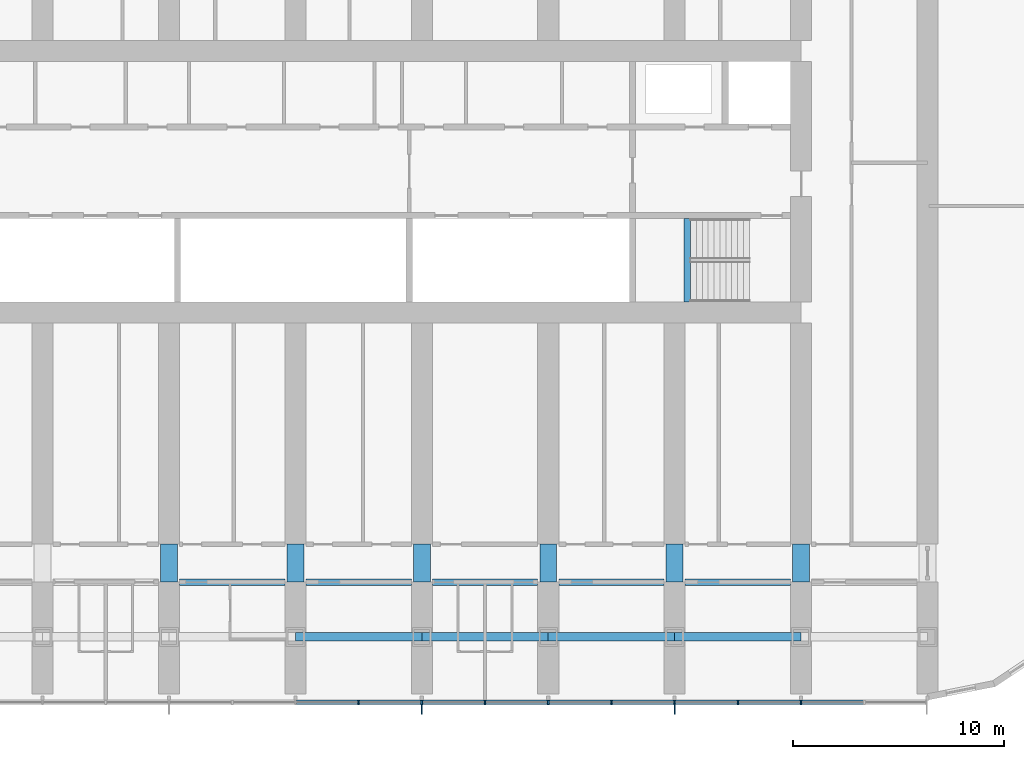
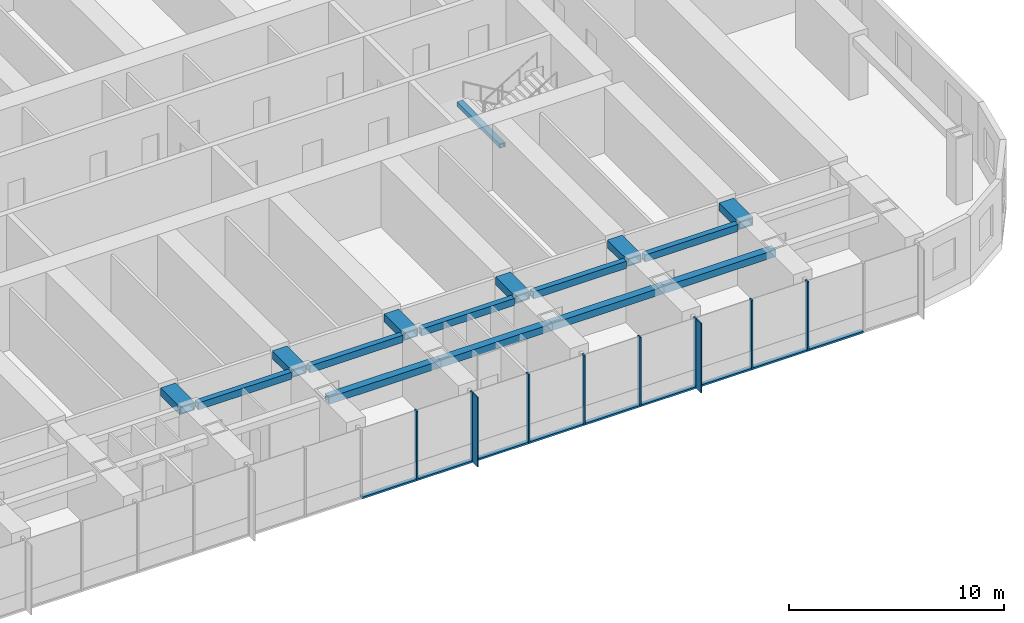
# One storey, part 5 of 26: 19 members, 16 beams, 1 element without a shape of its own.
"""IFC4 building model written with IfcOpenShell, lengths in metres."""

from ifc_helpers import new_model, si_unit, direction, frame, origin, origin_2d, place, context, subcontext, project, spatial, rectangle, hollow_rectangle, extrude, material, material_profile, profile_set, type_object, element, aggregate, save


model = new_model("IFC4")

# Units and contexts
model_context = context("Model", 3, precision=1e-05, world=origin(), true_north=direction((0.0, 1.0)))
body_context = subcontext(model_context, "Body", "Model", "MODEL_VIEW")
ifc_project = project(units=[si_unit("LENGTHUNIT", "METRE"), si_unit("AREAUNIT", "SQUARE_METRE"), si_unit("VOLUMEUNIT", "CUBIC_METRE"), si_unit("PLANEANGLEUNIT", "RADIAN"), si_unit("MASSUNIT", "GRAM", prefix="KILO")], contexts=[model_context])

# Site, building, storey
site_placement = place(None, origin())
site = spatial("IfcSite", under=ifc_project, at=site_placement, CompositionType="ELEMENT")
building_placement = place(site_placement, origin())
building = spatial("IfcBuilding", under=site, at=building_placement, Name="Orbita Commons", CompositionType="ELEMENT")
storey_placement = place(building_placement, frame((0.0, 0.0, 53.949951171875)))
storey = spatial("IfcBuildingStorey", under=building, at=storey_placement, Name="L13", CompositionType="ELEMENT", Elevation=53.949951171875)

# Curtain wall, members
ifc_material_1 = material(Name="Anodised aluminium frame, pale silver", Category="aluminium")
curtain_wall_type = type_object("IfcCurtainWallType", Name="Unitised curtain wall CW-T, vision and spandrel", PredefinedType="NOTDEFINED", material=ifc_material_1)
curtain_wall_placement = place(storey_placement, origin())
curtain_wall = element("IfcCurtainWall", 1, at=curtain_wall_placement, inside=storey, type_object=curtain_wall_type, Name="Curtain wall south L13", PredefinedType="NOTDEFINED")
ifc_material_2 = material(Name="Anodised aluminium, pale silver", Category="aluminium")
ifc_material_profile_1 = material_profile(ifc_material_2, rectangle(XDim=0.080078125, YDim=0.219970703125, at=origin_2d()), Name="AL 80x220")
ifc_profile_set_1 = profile_set([ifc_material_profile_1], Name="Anodised aluminium, pale silver")
member_type_1 = type_object("IfcMemberType", Name="Curtain wall mullion 80x220", PredefinedType="MULLION", material=ifc_profile_set_1)
member_1_placement = place(storey_placement, frame((45.0, 7.2900390625, -0.449951171875), z_axis=(0.0, 0.0, 1.0), x_axis=(1.0, 0.0, 0.0)))
member_1 = element("IfcMember", 2, at=member_1_placement, type_object=member_type_1, Name="Mullion 12 CW-L13-S", PredefinedType="MULLION", context=body_context, shape_type="SweptSolid", body=[
    extrude(rectangle(XDim=0.080078125, YDim=0.219970703125, at=origin_2d()), origin(), (0.0, 0.0, 1.0), 3.949951171875),
])
member_2_placement = place(storey_placement, frame((48.0, 7.2900390625, -0.449951171875), z_axis=(0.0, 0.0, 1.0), x_axis=(1.0, 0.0, 0.0)))
member_2 = element("IfcMember", 3, at=member_2_placement, type_object=member_type_1, Name="Mullion 13 CW-L13-S", PredefinedType="MULLION", context=body_context, shape_type="SweptSolid", body=[
    extrude(rectangle(XDim=0.080078125, YDim=0.219970703125, at=origin_2d()), origin(), (0.0, 0.0, 1.0), 3.949951171875),
])
member_3_placement = place(storey_placement, frame((51.0, 7.2900390625, -0.449951171875), z_axis=(0.0, 0.0, 1.0), x_axis=(1.0, 0.0, 0.0)))
member_3 = element("IfcMember", 4, at=member_3_placement, type_object=member_type_1, Name="Mullion 14 CW-L13-S", PredefinedType="MULLION", context=body_context, shape_type="SweptSolid", body=[
    extrude(rectangle(XDim=0.080078125, YDim=0.219970703125, at=origin_2d()), origin(), (0.0, 0.0, 1.0), 3.949951171875),
])
member_4_placement = place(storey_placement, frame((54.0, 7.2900390625, -0.449951171875), z_axis=(0.0, 0.0, 1.0), x_axis=(1.0, 0.0, 0.0)))
member_4 = element("IfcMember", 5, at=member_4_placement, type_object=member_type_1, Name="Mullion 15 CW-L13-S", PredefinedType="MULLION", context=body_context, shape_type="SweptSolid", body=[
    extrude(rectangle(XDim=0.080078125, YDim=0.219970703125, at=origin_2d()), origin(), (0.0, 0.0, 1.0), 3.949951171875),
])
member_5_placement = place(storey_placement, frame((57.0, 7.2900390625, -0.449951171875), z_axis=(0.0, 0.0, 1.0), x_axis=(1.0, 0.0, 0.0)))
member_5 = element("IfcMember", 6, at=member_5_placement, type_object=member_type_1, Name="Mullion 16 CW-L13-S", PredefinedType="MULLION", context=body_context, shape_type="SweptSolid", body=[
    extrude(rectangle(XDim=0.080078125, YDim=0.219970703125, at=origin_2d()), origin(), (0.0, 0.0, 1.0), 3.949951171875),
])
member_6_placement = place(storey_placement, frame((60.0, 7.2900390625, -0.449951171875), z_axis=(0.0, 0.0, 1.0), x_axis=(1.0, 0.0, 0.0)))
member_6 = element("IfcMember", 7, at=member_6_placement, type_object=member_type_1, Name="Mullion 17 CW-L13-S", PredefinedType="MULLION", context=body_context, shape_type="SweptSolid", body=[
    extrude(rectangle(XDim=0.080078125, YDim=0.219970703125, at=origin_2d()), origin(), (0.0, 0.0, 1.0), 3.949951171875),
])
member_7_placement = place(storey_placement, frame((63.0, 7.2900390625, -0.449951171875), z_axis=(0.0, 0.0, 1.0), x_axis=(1.0, 0.0, 0.0)))
member_7 = element("IfcMember", 8, at=member_7_placement, type_object=member_type_1, Name="Mullion 18 CW-L13-S", PredefinedType="MULLION", context=body_context, shape_type="SweptSolid", body=[
    extrude(rectangle(XDim=0.080078125, YDim=0.219970703125, at=origin_2d()), origin(), (0.0, 0.0, 1.0), 3.949951171875),
])
member_8_placement = place(storey_placement, frame((66.0, 7.2900390625, -0.449951171875), z_axis=(0.0, 0.0, 1.0), x_axis=(1.0, 0.0, 0.0)))
member_8 = element("IfcMember", 9, at=member_8_placement, type_object=member_type_1, Name="Mullion 19 CW-L13-S", PredefinedType="MULLION", context=body_context, shape_type="SweptSolid", body=[
    extrude(rectangle(XDim=0.080078125, YDim=0.219970703125, at=origin_2d()), origin(), (0.0, 0.0, 1.0), 3.949951171875),
])
ifc_material_3 = material(Name="Anodised aluminium, pale silver", Category="aluminium")
ifc_material_profile_2 = material_profile(ifc_material_3, rectangle(XDim=0.219970703125, YDim=0.10009765625, at=origin_2d()), Name="AL 220x100")
ifc_profile_set_2 = profile_set([ifc_material_profile_2], Name="Anodised aluminium, pale silver")
member_type_2 = type_object("IfcMemberType", Name="Curtain wall stack transom 220x100", PredefinedType="USERDEFINED", material=ifc_profile_set_2)
member_9_placement = place(storey_placement, frame((42.0400390625, 7.2900390625, -0.39990234375), z_axis=(1.0, 0.0, 0.0), x_axis=(0.0, 1.0, 0.0)))
member_9 = element("IfcMember", 10, at=member_9_placement, type_object=member_type_2, Name="Transom 11.1 CW-L13-S", ObjectType="TRANSOM", PredefinedType="USERDEFINED", context=body_context, shape_type="SweptSolid", body=[
    extrude(rectangle(XDim=0.219970703125, YDim=0.10009765625, at=origin_2d()), origin(), (0.0, 0.0, 1.0), 2.919921875),
])
member_10_placement = place(storey_placement, frame((45.0400390625, 7.2900390625, -0.39990234375), z_axis=(1.0, 0.0, 0.0), x_axis=(0.0, 1.0, 0.0)))
member_10 = element("IfcMember", 11, at=member_10_placement, type_object=member_type_2, Name="Transom 12.1 CW-L13-S", ObjectType="TRANSOM", PredefinedType="USERDEFINED", context=body_context, shape_type="SweptSolid", body=[
    extrude(rectangle(XDim=0.219970703125, YDim=0.10009765625, at=origin_2d()), origin(), (0.0, 0.0, 1.0), 2.919921875),
])
member_11_placement = place(storey_placement, frame((48.0400390625, 7.2900390625, -0.39990234375), z_axis=(1.0, 0.0, 0.0), x_axis=(0.0, 1.0, 0.0)))
member_11 = element("IfcMember", 12, at=member_11_placement, type_object=member_type_2, Name="Transom 13.1 CW-L13-S", ObjectType="TRANSOM", PredefinedType="USERDEFINED", context=body_context, shape_type="SweptSolid", body=[
    extrude(rectangle(XDim=0.219970703125, YDim=0.10009765625, at=origin_2d()), origin(), (0.0, 0.0, 1.0), 2.919921875),
])
member_12_placement = place(storey_placement, frame((51.0400390625, 7.2900390625, -0.39990234375), z_axis=(1.0, 0.0, 0.0), x_axis=(0.0, 1.0, 0.0)))
member_12 = element("IfcMember", 13, at=member_12_placement, type_object=member_type_2, Name="Transom 14.1 CW-L13-S", ObjectType="TRANSOM", PredefinedType="USERDEFINED", context=body_context, shape_type="SweptSolid", body=[
    extrude(rectangle(XDim=0.219970703125, YDim=0.10009765625, at=origin_2d()), origin(), (0.0, 0.0, 1.0), 2.919921875),
])
member_13_placement = place(storey_placement, frame((54.0400390625, 7.2900390625, -0.39990234375), z_axis=(1.0, 0.0, 0.0), x_axis=(0.0, 1.0, 0.0)))
member_13 = element("IfcMember", 14, at=member_13_placement, type_object=member_type_2, Name="Transom 15.1 CW-L13-S", ObjectType="TRANSOM", PredefinedType="USERDEFINED", context=body_context, shape_type="SweptSolid", body=[
    extrude(rectangle(XDim=0.219970703125, YDim=0.10009765625, at=origin_2d()), origin(), (0.0, 0.0, 1.0), 2.919921875),
])
member_14_placement = place(storey_placement, frame((57.0400390625, 7.2900390625, -0.39990234375), z_axis=(1.0, 0.0, 0.0), x_axis=(0.0, 1.0, 0.0)))
member_14 = element("IfcMember", 15, at=member_14_placement, type_object=member_type_2, Name="Transom 16.1 CW-L13-S", ObjectType="TRANSOM", PredefinedType="USERDEFINED", context=body_context, shape_type="SweptSolid", body=[
    extrude(rectangle(XDim=0.219970703125, YDim=0.10009765625, at=origin_2d()), origin(), (0.0, 0.0, 1.0), 2.919921875),
])
member_15_placement = place(storey_placement, frame((60.0400390625, 7.2900390625, -0.39990234375), z_axis=(1.0, 0.0, 0.0), x_axis=(0.0, 1.0, 0.0)))
member_15 = element("IfcMember", 16, at=member_15_placement, type_object=member_type_2, Name="Transom 17.1 CW-L13-S", ObjectType="TRANSOM", PredefinedType="USERDEFINED", context=body_context, shape_type="SweptSolid", body=[
    extrude(rectangle(XDim=0.219970703125, YDim=0.10009765625, at=origin_2d()), origin(), (0.0, 0.0, 1.0), 2.919921875),
])
member_16_placement = place(storey_placement, frame((63.0400390625, 7.2900390625, -0.39990234375), z_axis=(1.0, 0.0, 0.0), x_axis=(0.0, 1.0, 0.0)))
member_16 = element("IfcMember", 17, at=member_16_placement, type_object=member_type_2, Name="Transom 18.1 CW-L13-S", ObjectType="TRANSOM", PredefinedType="USERDEFINED", context=body_context, shape_type="SweptSolid", body=[
    extrude(rectangle(XDim=0.219970703125, YDim=0.10009765625, at=origin_2d()), origin(), (0.0, 0.0, 1.0), 2.919921875),
])
member_17_placement = place(storey_placement, frame((66.0400390625, 7.2900390625, -0.39990234375), z_axis=(1.0, 0.0, 0.0), x_axis=(0.0, 1.0, 0.0)))
member_17 = element("IfcMember", 18, at=member_17_placement, type_object=member_type_2, Name="Transom 19.1 CW-L13-S", ObjectType="TRANSOM", PredefinedType="USERDEFINED", context=body_context, shape_type="SweptSolid", body=[
    extrude(rectangle(XDim=0.219970703125, YDim=0.10009765625, at=origin_2d()), origin(), (0.0, 0.0, 1.0), 2.919921875),
])

# Beams
ifc_material_4 = material(Name="Steel ASTM A572 Gr 50 welded plate", Category="steel")
ifc_material_profile_3 = material_profile(ifc_material_4, hollow_rectangle(XDim=0.300048828125, YDim=0.25, WallThickness=0.02490234375, at=origin_2d()), Name="BOX 250x300x25")
ifc_profile_set_3 = profile_set([ifc_material_profile_3], Name="Steel ASTM A572 Gr 50 welded plate")
beam_type_1 = type_object("IfcBeamType", Name="Stair landing beam steel BOX 250x300x25", PredefinedType="BEAM", material=ifc_profile_set_3)
beam_placement = place(storey_placement, frame((60.60009765625, 26.284912109375, 1.550048828125), z_axis=(0.0, 1.0, 0.0), x_axis=(-1.0, 0.0, 0.0)))
element("IfcBeam", 19, at=beam_placement, inside=storey, type_object=beam_type_1, Name="Stair S2 landing beam L13 1", PredefinedType="BEAM", context=body_context, shape_type="SweptSolid", body=[
    extrude(hollow_rectangle(XDim=0.300048828125, YDim=0.25, WallThickness=0.02490234375, at=origin_2d()), origin(), (0.0, 0.0, 1.0), 3.97998046875),
])
ifc_material_5 = material(Name="Steel ASTM A572 Gr 50 welded plate", Category="steel")
ifc_material_profile_4 = material_profile(ifc_material_5, hollow_rectangle(XDim=0.300048828125, YDim=0.39990234375, WallThickness=0.0400390625, at=origin_2d()), Name="BOX 400x300x40")
ifc_profile_set_4 = profile_set([ifc_material_profile_4], Name="Steel ASTM A572 Gr 50 welded plate")
beam_type_2 = type_object("IfcBeamType", Name="Steel corridor link BOX 400x300x40", PredefinedType="BEAM", material=ifc_profile_set_4)
for number, where, z_axis, x_axis, name in (
    (20, (36.5, 13.0, 3.300048828125), (1.0, 0.0, 0.0), (0.0, 1.0, 0.0), "Corridor beam SA 7-8 L13"),
    (21, (42.5, 13.0, 3.300048828125), (1.0, 0.0, 0.0), (0.0, 1.0, 0.0), "Corridor beam SA 8-9 L13"),
    (22, (48.5, 13.0, 3.300048828125), (1.0, 0.0, 0.0), (0.0, 1.0, 0.0), "Corridor beam SA 9-10 L13"),
    (23, (54.5, 13.0, 3.300048828125), (1.0, 0.0, 0.0), (0.0, 1.0, 0.0), "Corridor beam SA 10-11 L13"),
    (24, (60.5, 13.0, 3.300048828125), (1.0, 0.0, 0.0), (0.0, 1.0, 0.0), "Corridor beam SA 11-12 L13"),
):
    element("IfcBeam", number, at=place(storey_placement, frame(where, z_axis=z_axis, x_axis=x_axis)), inside=storey, type_object=beam_type_2, Name=name, PredefinedType="BEAM", context=body_context, shape_type="SweptSolid", body=[
        extrude(hollow_rectangle(XDim=0.300048828125, YDim=0.39990234375, WallThickness=0.0400390625, at=origin_2d()), origin(), (0.0, 0.0, 1.0), 5.0),
    ])
ifc_material_6 = material(Name="Steel ASTM A572 Gr 50 welded plate", Category="steel")
ifc_material_profile_5 = material_profile(ifc_material_6, hollow_rectangle(XDim=0.800048828125, YDim=0.449951171875, WallThickness=0.06005859375, at=origin_2d()), Name="BOX 450x800x60")
ifc_profile_set_5 = profile_set([ifc_material_profile_5], Name="Steel ASTM A572 Gr 50 welded plate")
beam_type_3 = type_object("IfcBeamType", Name="Steel coupling link BOX 450x800x60", PredefinedType="LINTEL", material=ifc_profile_set_5)
for number, where, z_axis, x_axis, name in (
    (25, (36.0, 13.0, 3.275146484375), (0.0, 1.0, 0.0), (-1.0, 0.0, 0.0), "Coupling beam 7 south L13"),
    (26, (42.0, 13.0, 3.275146484375), (0.0, 1.0, 0.0), (-1.0, 0.0, 0.0), "Coupling beam 8 south L13"),
    (27, (48.0, 13.0, 3.275146484375), (0.0, 1.0, 0.0), (-1.0, 0.0, 0.0), "Coupling beam 9 south L13"),
    (28, (54.0, 13.0, 3.275146484375), (0.0, 1.0, 0.0), (-1.0, 0.0, 0.0), "Coupling beam 10 south L13"),
    (29, (60.0, 13.0, 3.275146484375), (0.0, 1.0, 0.0), (-1.0, 0.0, 0.0), "Coupling beam 11 south L13"),
    (30, (66.0, 13.0, 3.275146484375), (0.0, 1.0, 0.0), (-1.0, 0.0, 0.0), "Coupling beam 12 south L13"),
):
    element("IfcBeam", number, at=place(storey_placement, frame(where, z_axis=z_axis, x_axis=x_axis)), inside=storey, type_object=beam_type_3, Name=name, PredefinedType="LINTEL", context=body_context, shape_type="SweptSolid", body=[
        extrude(hollow_rectangle(XDim=0.800048828125, YDim=0.449951171875, WallThickness=0.06005859375, at=origin_2d()), origin(), (0.0, 0.0, 1.0), 1.800048828125),
    ])
ifc_material_7 = material(Name="Steel ASTM A572 Gr 50 welded plate", Category="steel")
ifc_material_profile_6 = material_profile(ifc_material_7, hollow_rectangle(XDim=0.39990234375, YDim=0.39990234375, WallThickness=0.0400390625, at=origin_2d()), Name="BOX 400x400x40")
ifc_profile_set_6 = profile_set([ifc_material_profile_6], Name="Steel ASTM A572 Gr 50 welded plate")
beam_type_4 = type_object("IfcBeamType", Name="Steel spandrel BOX 400x400x40", PredefinedType="SPANDREL", material=ifc_profile_set_6)
for number, where, z_axis, x_axis, name in (
    (31, (42.0, 10.39990234375, 3.300048828125), (1.0, 0.0, 0.0), (0.0, 1.0, 0.0), "Spandrel beam B 8-9 L13"),
    (32, (48.0, 10.39990234375, 3.300048828125), (1.0, 0.0, 0.0), (0.0, 1.0, 0.0), "Spandrel beam B 9-10 L13"),
    (33, (54.0, 10.39990234375, 3.300048828125), (1.0, 0.0, 0.0), (0.0, 1.0, 0.0), "Spandrel beam B 10-11 L13"),
    (34, (60.0, 10.39990234375, 3.300048828125), (1.0, 0.0, 0.0), (0.0, 1.0, 0.0), "Spandrel beam B 11-12 L13"),
):
    element("IfcBeam", number, at=place(storey_placement, frame(where, z_axis=z_axis, x_axis=x_axis)), inside=storey, type_object=beam_type_4, Name=name, PredefinedType="SPANDREL", context=body_context, shape_type="SweptSolid", body=[
        extrude(hollow_rectangle(XDim=0.39990234375, YDim=0.39990234375, WallThickness=0.0400390625, at=origin_2d()), origin(), (0.0, 0.0, 1.0), 6.0),
    ])

# Member
ifc_material_8 = material(Name="Anodised aluminium, pale silver", Category="aluminium")
ifc_material_profile_7 = material_profile(ifc_material_8, rectangle(XDim=0.06005859375, YDim=0.449951171875, at=origin_2d()), Name="FIN 60x450")
ifc_profile_set_7 = profile_set([ifc_material_profile_7], Name="Anodised aluminium, pale silver")
member_type_3 = type_object("IfcMemberType", Name="Vertical fin 60x450 pale aluminium", PredefinedType="USERDEFINED", material=ifc_profile_set_7)
member_18_placement = place(storey_placement, frame((48.0, 6.955078125, -0.449951171875), z_axis=(0.0, 0.0, 1.0), x_axis=(1.0, 0.0, 0.0)))
member_18 = element("IfcMember", 35, at=member_18_placement, type_object=member_type_3, Name="Fin 13 CW-L13-S", ObjectType="FIN", PredefinedType="USERDEFINED", context=body_context, shape_type="SweptSolid", body=[
    extrude(rectangle(XDim=0.06005859375, YDim=0.449951171875, at=origin_2d()), origin(), (0.0, 0.0, 1.0), 3.949951171875),
])

member_19_placement = place(storey_placement, frame((60.0, 6.955078125, -0.449951171875), z_axis=(0.0, 0.0, 1.0), x_axis=(1.0, 0.0, 0.0)))
member_19 = element("IfcMember", 36, at=member_19_placement, type_object=member_type_3, Name="Fin 17 CW-L13-S", ObjectType="FIN", PredefinedType="USERDEFINED", context=body_context, shape_type="SweptSolid", body=[
    extrude(rectangle(XDim=0.06005859375, YDim=0.449951171875, at=origin_2d()), origin(), (0.0, 0.0, 1.0), 3.949951171875),
])

aggregate(curtain_wall, [member_1, member_2, member_18, member_3, member_4, member_5, member_6, member_19, member_7, member_8, member_9, member_10, member_11, member_12, member_13, member_14, member_15, member_16, member_17])

save(model, "model.ifc")
